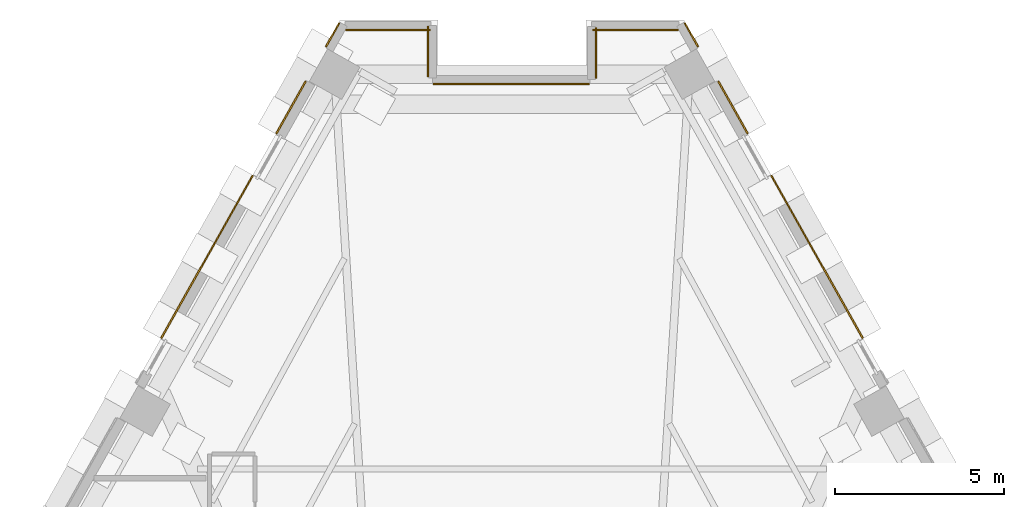
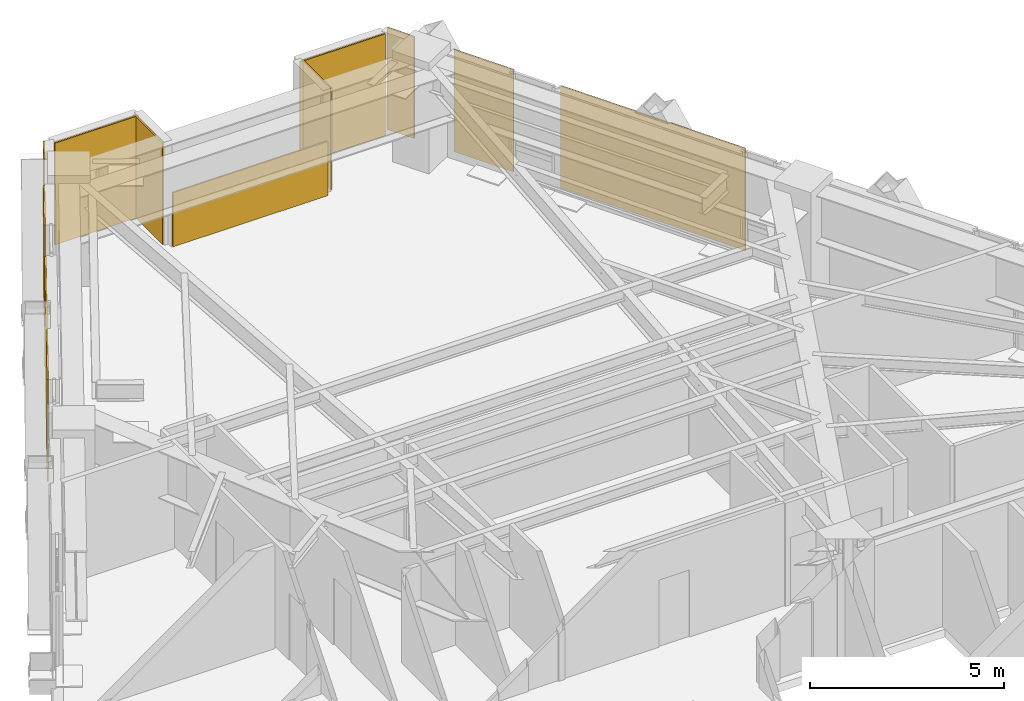
# One storey, part 13 of 13: 11 coverings.
"""IFC4 building model written with IfcOpenShell, lengths in metres."""

from ifc_helpers import new_model, si_unit, direction, frame, origin, place, context, subcontext, project, spatial, polyline, outline, extrude, material, layer, layer_set, type_object, element, save


model = new_model("IFC4")

# Units and contexts
model_context = context("Model", 3, precision=1e-05, world=origin(), true_north=direction((0.0, 1.0)))
body_context = subcontext(model_context, "Body", "Model", "MODEL_VIEW")
ifc_project = project(units=[si_unit("LENGTHUNIT", "METRE"), si_unit("AREAUNIT", "SQUARE_METRE"), si_unit("VOLUMEUNIT", "CUBIC_METRE"), si_unit("PLANEANGLEUNIT", "RADIAN"), si_unit("MASSUNIT", "GRAM", prefix="KILO")], contexts=[model_context])

# Site, building, storey
site_placement = place(None, origin())
site = spatial("IfcSite", under=ifc_project, at=site_placement, CompositionType="ELEMENT")
building_placement = place(site_placement, origin())
building = spatial("IfcBuilding", under=site, at=building_placement, Name="Quenlor Broadcast Tower", CompositionType="ELEMENT")
storey_placement = place(building_placement, frame((0.0, 0.0, 126.5)))
storey = spatial("IfcBuildingStorey", under=building, at=storey_placement, Name="L34", CompositionType="ELEMENT", Elevation=126.5)

# Coverings
ifc_material = material(Name="Architectural Terracotta Ceramic", Category="masonry")
ifc_layer = layer(ifc_material, 0.044921875)
ifc_layer_set = layer_set([ifc_layer], Name="Fluted Terracotta Rainscreen Cladding Panel")
covering_type = type_object("IfcCoveringType", Name="Fluted Terracotta Rainscreen Cladding Panel", PredefinedType="CLADDING", material=ifc_layer_set)
covering_1_placement = place(storey_placement, frame((0.0, 0.0, 0.02001953125)))
element("IfcCovering", 1, at=covering_1_placement, inside=storey, type_object=covering_type, Name="L34 Terracotta Rainscreen Cladding L34-SHD-NES0", PredefinedType="CLADDING", context=body_context, shape_type="SweptSolid", body=[
    extrude(outline(polyline([(5.105224609375, 21.22607421875), (5.5, 20.524169921875), (5.539306640625, 20.546142578125), (5.144287109375, 21.248046875), (5.105224609375, 21.22607421875)])), origin(), (0.0, 0.0, 1.0), 3.2099609375),
])
covering_2_placement = place(storey_placement, frame((0.0, 0.0, 0.02001953125)))
element("IfcCovering", 2, at=covering_2_placement, inside=storey, type_object=covering_type, Name="L34 Terracotta Rainscreen Cladding L34-NEA-SP1", PredefinedType="CLADDING", context=body_context, shape_type="SweptSolid", body=[
    extrude(outline(polyline([(6.10107421875, 19.496826171875), (6.97509765625, 17.9423828125), (7.014404296875, 17.964599609375), (6.14013671875, 19.518798828125), (6.10107421875, 19.496826171875)])), origin(), (0.0, 0.0, 1.0), 3.2099609375),
])
covering_3_placement = place(storey_placement, frame((0.0, 0.0, 0.02001953125)))
element("IfcCovering", 3, at=covering_3_placement, inside=storey, type_object=covering_type, Name="L34 Terracotta Rainscreen Cladding L34-NEA-SP2", PredefinedType="CLADDING", context=body_context, shape_type="SweptSolid", body=[
    extrude(outline(polyline([(7.673583984375, 16.700927734375), (10.38818359375, 11.874755859375), (10.427490234375, 11.896728515625), (7.712890625, 16.722900390625), (7.673583984375, 16.700927734375)])), origin(), (0.0, 0.0, 1.0), 3.2099609375),
])
covering_4_placement = place(storey_placement, frame((0.0, 0.0, 0.02001953125)))
element("IfcCovering", 4, at=covering_4_placement, inside=storey, type_object=covering_type, Name="L34 Terracotta Rainscreen Cladding L34-SHD-NWS1", PredefinedType="CLADDING", context=body_context, shape_type="SweptSolid", body=[
    extrude(outline(polyline([(-5.5, 20.524169921875), (-5.105224609375, 21.22607421875), (-5.144287109375, 21.248046875), (-5.539306640625, 20.546142578125), (-5.5, 20.524169921875)])), origin(), (0.0, 0.0, 1.0), 3.2099609375),
])
covering_5_placement = place(storey_placement, frame((0.0, 0.0, 0.02001953125)))
element("IfcCovering", 5, at=covering_5_placement, inside=storey, type_object=covering_type, Name="L34 Terracotta Rainscreen Cladding L34-NWC-SP2", PredefinedType="CLADDING", context=body_context, shape_type="SweptSolid", body=[
    extrude(outline(polyline([(-10.38818359375, 11.874755859375), (-7.673583984375, 16.700927734375), (-7.712890625, 16.722900390625), (-10.427490234375, 11.896728515625), (-10.38818359375, 11.874755859375)])), origin(), (0.0, 0.0, 1.0), 3.2099609375),
])
covering_6_placement = place(storey_placement, frame((0.0, 0.0, 0.02001953125)))
element("IfcCovering", 6, at=covering_6_placement, inside=storey, type_object=covering_type, Name="L34 Terracotta Rainscreen Cladding L34-NWC-SP3", PredefinedType="CLADDING", context=body_context, shape_type="SweptSolid", body=[
    extrude(outline(polyline([(-6.97509765625, 17.9423828125), (-6.10107421875, 19.496826171875), (-6.14013671875, 19.518798828125), (-7.014404296875, 17.964599609375), (-6.97509765625, 17.9423828125)])), origin(), (0.0, 0.0, 1.0), 3.2099609375),
])
covering_7_placement = place(storey_placement, frame((0.0, 0.0, 0.02001953125)))
element("IfcCovering", 7, at=covering_7_placement, inside=storey, type_object=covering_type, Name="L34 Terracotta Rainscreen Cladding L34-CNR-06", PredefinedType="CLADDING", context=body_context, shape_type="SweptSolid", body=[
    extrude(outline(polyline([(4.929443359375, 21.055908203125), (2.389892578125, 21.055908203125), (2.389892578125, 21.010986328125), (4.929443359375, 21.010986328125), (4.929443359375, 21.055908203125)])), origin(), (0.0, 0.0, 1.0), 3.2099609375),
])
covering_8_placement = place(storey_placement, frame((0.0, 0.0, 0.02001953125)))
element("IfcCovering", 8, at=covering_8_placement, inside=storey, type_object=covering_type, Name="L34 Terracotta Rainscreen Cladding L34-CNR-07", PredefinedType="CLADDING", context=body_context, shape_type="SweptSolid", body=[
    extrude(outline(polyline([(2.471923828125, 21.097900390625), (2.471923828125, 19.597900390625), (2.51708984375, 19.597900390625), (2.51708984375, 21.097900390625), (2.471923828125, 21.097900390625)])), origin(), (0.0, 0.0, 1.0), 3.2099609375),
])
covering_9_placement = place(storey_placement, frame((0.0, 0.0, 0.02001953125)))
element("IfcCovering", 9, at=covering_9_placement, inside=storey, type_object=covering_type, Name="L34 Terracotta Rainscreen Cladding L34-CNR-08", PredefinedType="CLADDING", context=body_context, shape_type="SweptSolid", body=[
    extrude(outline(polyline([(2.2900390625, 19.4560546875), (-2.330078125, 19.4560546875), (-2.330078125, 19.410888671875), (2.2900390625, 19.410888671875), (2.2900390625, 19.4560546875)])), origin(), (0.0, 0.0, 1.0), 1.7099609375),
])
covering_10_placement = place(storey_placement, frame((0.0, 0.0, 0.02001953125)))
element("IfcCovering", 10, at=covering_10_placement, inside=storey, type_object=covering_type, Name="L34 Terracotta Rainscreen Cladding L34-CNR-09", PredefinedType="CLADDING", context=body_context, shape_type="SweptSolid", body=[
    extrude(outline(polyline([(-2.471923828125, 19.637939453125), (-2.471923828125, 21.137939453125), (-2.51708984375, 21.137939453125), (-2.51708984375, 19.637939453125), (-2.471923828125, 19.637939453125)])), origin(), (0.0, 0.0, 1.0), 3.2099609375),
])
covering_11_placement = place(storey_placement, frame((0.0, 0.0, 0.02001953125)))
element("IfcCovering", 11, at=covering_11_placement, inside=storey, type_object=covering_type, Name="L34 Terracotta Rainscreen Cladding L34-CNR-10", PredefinedType="CLADDING", context=body_context, shape_type="SweptSolid", body=[
    extrude(outline(polyline([(-2.429931640625, 21.055908203125), (-4.929443359375, 21.055908203125), (-4.929443359375, 21.010986328125), (-2.429931640625, 21.010986328125), (-2.429931640625, 21.055908203125)])), origin(), (0.0, 0.0, 1.0), 3.2099609375),
])

save(model, "model.ifc")
